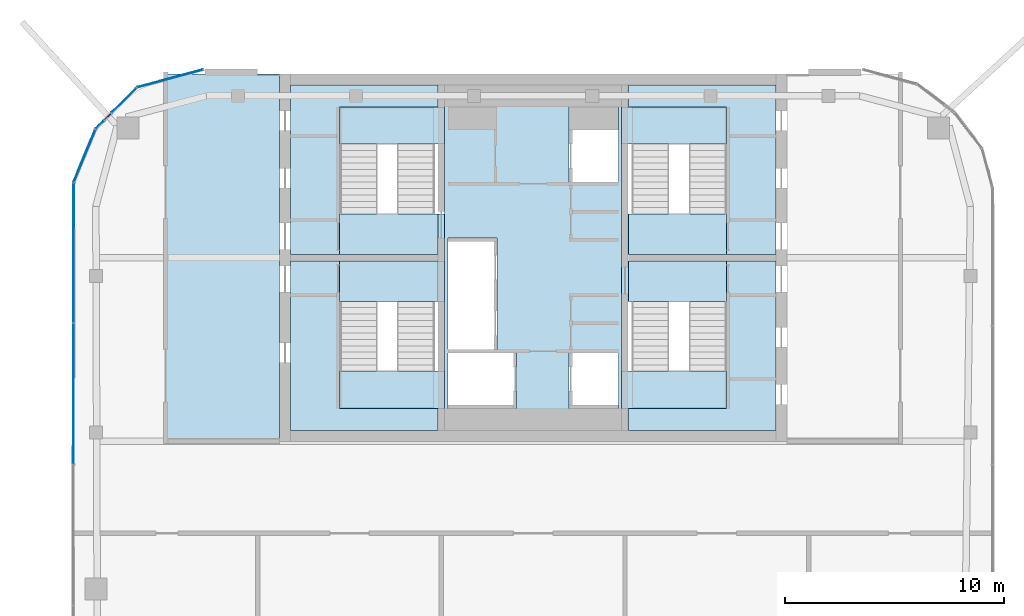
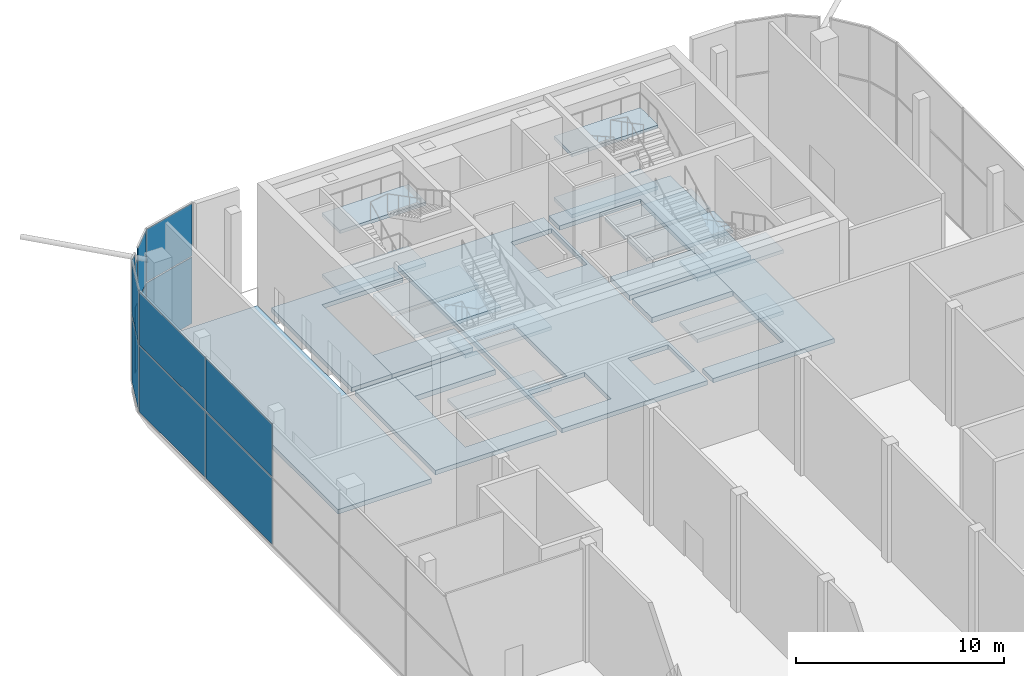
# One storey, part 16 of 23: 22 slabs, 14 plates, 10 elements without a shape of their own.
"""IFC4 building model written with IfcOpenShell, lengths in metres."""

import ifcopenshell
import ifcopenshell.guid

model = None  # the IFC model being written
_history = None  # IfcOwnerHistory: only IFC2X3 demands one
_inside = {}  # id of a spatial element -> (the spatial element, [elements in it])
_under = {}  # id of a project, library or spatial element -> (it, [spatial elements below it])
_declared = {}  # id of a project -> (the project, [libraries it declares])
_typed = {}  # id of a type object -> (the type object, [elements of that type])
_made_of = {}  # id of a material, layer set ... -> (it, [elements and type objects made of it])


def new_model(schema):
    """Start an empty IFC model of exactly this schema.

    Asked for "IFC4X3", IfcOpenShell would pick the latest addendum, in which some entities
    have other attributes; the version numbers below select the first issue.
    IFC2X3 requires an IfcOwnerHistory on every rooted entity: one is made here for all.
    """
    global model, _history
    if schema == "IFC4X3":
        model = ifcopenshell.file(schema_version=(4, 3, 0, 0))
    else:
        model = ifcopenshell.file(schema=schema)
    _inside.clear()
    _under.clear()
    _declared.clear()
    _typed.clear()
    _made_of.clear()
    _history = None
    if model.schema == "IFC2X3":
        org = make("IfcOrganization", Name="unknown")
        user = make(
            "IfcPersonAndOrganization",
            ThePerson=make("IfcPerson", FamilyName="unknown"),
            TheOrganization=org,
        )
        app = make(
            "IfcApplication",
            ApplicationDeveloper=org,
            Version="unknown",
            ApplicationFullName="unknown",
            ApplicationIdentifier="unknown",
        )
        _history = make(
            "IfcOwnerHistory",
            OwningUser=user,
            OwningApplication=app,
            ChangeAction="ADDED",
            CreationDate=0,
        )
    return model


def make(cls, **values):
    """One entity of the class cls with the attributes given. An attribute that is None is left unset."""
    return model.create_entity(
        cls, **{name: value for name, value in values.items() if value is not None}
    )


def rooted(cls, **values):
    """An entity with a GlobalId (a new one), such as an element, a storey or a relation."""
    return make(cls, GlobalId=ifcopenshell.guid.new(), OwnerHistory=_history, **values)


def si_unit(unit_type, name, prefix=None):
    """IfcSIUnit, for example si_unit("LENGTHUNIT", "METRE", prefix="MILLI")."""
    return make("IfcSIUnit", UnitType=unit_type, Prefix=prefix, Name=name)


def assignment(units):
    """IfcUnitAssignment: the units of a project."""
    return None if units is None else make("IfcUnitAssignment", Units=units)


def point(xyz):
    """IfcCartesianPoint."""
    return None if xyz is None else make("IfcCartesianPoint", Coordinates=xyz)


def direction(xyz):
    """IfcDirection."""
    return None if xyz is None else make("IfcDirection", DirectionRatios=xyz)


def frame(location, z_axis=None, x_axis=None):
    """IfcAxis2Placement3D, a coordinate frame: its origin and axes. An axis left out is left unset."""
    return make(
        "IfcAxis2Placement3D",
        Location=point(location),
        Axis=direction(z_axis),
        RefDirection=direction(x_axis),
    )


def frame_2d(location, x_axis=None):
    """IfcAxis2Placement2D, a coordinate frame in the plane: its origin and x axis."""
    return make(
        "IfcAxis2Placement2D", Location=point(location), RefDirection=direction(x_axis)
    )


def origin():
    """The frame at (0, 0, 0) with its axes left unset."""
    return frame((0.0, 0.0, 0.0))


def origin_2d():
    """The frame at (0, 0) in the plane with its x axis left unset."""
    return frame_2d((0.0, 0.0))


def place(relative_to, where):
    """IfcLocalPlacement: puts the frame where relative to a parent placement (None: the world)."""
    return make(
        "IfcLocalPlacement", PlacementRelTo=relative_to, RelativePlacement=where
    )


def context(
    kind, dimensions, precision=None, world=None, true_north=None, identifier=None
):
    """IfcGeometricRepresentationContext, for example the 3D "Model" context."""
    return make(
        "IfcGeometricRepresentationContext",
        ContextIdentifier=identifier,
        ContextType=kind,
        CoordinateSpaceDimension=dimensions,
        Precision=precision,
        WorldCoordinateSystem=world,
        TrueNorth=true_north,
    )


def subcontext(parent, identifier, kind, view, scale=None):
    """IfcGeometricRepresentationSubContext, for example "Body" below "Model"."""
    return make(
        "IfcGeometricRepresentationSubContext",
        ContextIdentifier=identifier,
        ContextType=kind,
        ParentContext=parent,
        TargetScale=scale,
        TargetView=view,
    )


def project(units=None, contexts=None):
    """IfcProject with its units and contexts."""
    return rooted(
        "IfcProject",
        Name="project",
        RepresentationContexts=contexts,
        UnitsInContext=assignment(units),
    )


def spatial(cls, under=None, at=None, **own):
    """A site, building, storey or space (cls), placed at a placement, below another one or the project."""
    s = rooted(cls, ObjectPlacement=at, **own)
    if under is not None:
        _under.setdefault(under.id(), (under, []))[1].append(s)
    return s


def polyline(points):
    """IfcPolyline through the points."""
    return make("IfcPolyline", Points=[point(p) for p in points])


def profile(cls, at=None, kind="AREA", **sizes):
    """A parametric profile (cls). Its sizes go by their IFC names, for example OverallWidth=200.0."""
    return make(cls, ProfileType=kind, Position=at, **sizes)


def rectangle(**sizes):
    """IfcRectangleProfileDef."""
    return profile("IfcRectangleProfileDef", **sizes)


def outline(outer, holes=None, kind="AREA"):
    """IfcArbitraryClosedProfileDef: a profile drawn as a closed curve; with holes, ...WithVoids."""
    if holes is None:
        return make("IfcArbitraryClosedProfileDef", ProfileType=kind, OuterCurve=outer)
    return make(
        "IfcArbitraryProfileDefWithVoids",
        ProfileType=kind,
        OuterCurve=outer,
        InnerCurves=holes,
    )


def extrude(swept, where, along, depth):
    """IfcExtrudedAreaSolid: the profile swept, set in the frame where, extruded along a direction by depth."""
    return make(
        "IfcExtrudedAreaSolid",
        SweptArea=swept,
        Position=where,
        ExtrudedDirection=direction(along),
        Depth=depth,
    )


def shape(context_of_items, identifier, shape_type, items):
    """IfcShapeRepresentation: the items that make up one representation, for example the "Body"."""
    return make(
        "IfcShapeRepresentation",
        ContextOfItems=context_of_items,
        RepresentationIdentifier=identifier,
        RepresentationType=shape_type,
        Items=items,
    )


def material(Name=None, Category=None):
    """IfcMaterial."""
    return make("IfcMaterial", Name=Name, Category=Category)


def layer(
    of_material, thickness, ventilated=None, Name=None, Category=None, Priority=None
):
    """IfcMaterialLayer: one layer of a wall or slab, of a material (None: an air gap)."""
    return make(
        "IfcMaterialLayer",
        Material=of_material,
        LayerThickness=thickness,
        IsVentilated=ventilated,
        Name=Name,
        Category=Category,
        Priority=Priority,
    )


def layer_set(layers, Name=None):
    """IfcMaterialLayerSet."""
    return make("IfcMaterialLayerSet", MaterialLayers=layers, LayerSetName=Name)


def made_of(thing, what):
    """Note that an element or type object is made of a material, layer set ...; save() writes the relation."""
    if what is not None:
        _made_of.setdefault(what.id(), (what, []))[1].append(thing)
    return thing


def type_object(cls, material=None, **own):
    """A type object (cls), such as IfcWallType, which elements share."""
    return made_of(rooted(cls, **own), material)


def element(
    cls,
    number,
    at=None,
    inside=None,
    cuts=None,
    type_object=None,
    material=None,
    context=None,
    identifier="Body",
    shape_type=None,
    held_by="IfcProductDefinitionShape",
    body=None,
    shapes=None,
    **own,
):
    """One element of the class cls, such as IfcWall. Its Tag is "e" and its number.

    at: its placement. inside: the storey or other place that contains it. cuts: it is an
    opening in that element (IfcRelVoidsElement). A single representation is given by context,
    identifier, shape_type and body (its items); several are given by shapes. held_by: the class
    of the entity that holds the representations. save() writes the other relations.
    """
    e = rooted(cls, Tag="e%d" % number, ObjectPlacement=at, **own)
    if body is not None:
        shapes = [shape(context, identifier, shape_type, body)]
    if shapes is not None:
        e.Representation = make(held_by, Representations=shapes)
    if inside is not None:
        _inside.setdefault(inside.id(), (inside, []))[1].append(e)
    if cuts is not None:
        rooted(
            "IfcRelVoidsElement", RelatingBuildingElement=cuts, RelatedOpeningElement=e
        )
    if type_object is not None:
        _typed.setdefault(type_object.id(), (type_object, []))[1].append(e)
    return made_of(e, material)


def aggregate(whole, parts):
    """IfcRelAggregates: a whole, such as a stair, and the parts it consists of."""
    return rooted("IfcRelAggregates", RelatingObject=whole, RelatedObjects=parts)


def save(model, path):
    """Write the relations noted so far, then the file.

    IfcRelAggregates (storeys below a building ...), IfcRelContainedInSpatialStructure (elements
    in a storey), IfcRelDefinesByType, IfcRelAssociatesMaterial and IfcRelDeclares: one each for
    every whole, place, type object, material and project.
    """
    for whole, parts in _under.values():
        aggregate(whole, parts)
    for where, things in _inside.values():
        rooted(
            "IfcRelContainedInSpatialStructure",
            RelatedElements=things,
            RelatingStructure=where,
        )
    for kind, things in _typed.values():
        rooted("IfcRelDefinesByType", RelatedObjects=things, RelatingType=kind)
    for what, things in _made_of.values():
        rooted("IfcRelAssociatesMaterial", RelatedObjects=things, RelatingMaterial=what)
    for by, libraries in _declared.values():
        rooted("IfcRelDeclares", RelatingContext=by, RelatedDefinitions=libraries)
    model.write(path)


model = new_model("IFC4")

# Units and contexts
model_context = context("Model", 3, precision=1e-05, world=origin(), true_north=direction((0.0, 1.0)))
body_context = subcontext(model_context, "Body", "Model", "MODEL_VIEW")
ifc_project = project(units=[si_unit("LENGTHUNIT", "METRE"), si_unit("AREAUNIT", "SQUARE_METRE"), si_unit("VOLUMEUNIT", "CUBIC_METRE"), si_unit("PLANEANGLEUNIT", "RADIAN"), si_unit("MASSUNIT", "GRAM", prefix="KILO")], contexts=[model_context])

# Site, building, storey
site_placement = place(None, origin())
site = spatial("IfcSite", under=ifc_project, at=site_placement, CompositionType="ELEMENT")
building_placement = place(site_placement, origin())
building = spatial("IfcBuilding", under=site, at=building_placement, Name="Marenta Gate Hotel Tower", CompositionType="ELEMENT")
storey_placement = place(building_placement, frame((0.0, 0.0, 288.5)))
storey = spatial("IfcBuildingStorey", under=building, at=storey_placement, Name="L66", CompositionType="ELEMENT", Elevation=288.5)

# Slabs
ifc_material_1 = material(Name="Concrete C40", Category="concrete")
ifc_layer_1 = layer(ifc_material_1, 0.260009765625)
ifc_layer_set_1 = layer_set([ifc_layer_1], Name="Concrete C40")
slab_type_1 = type_object("IfcSlabType", Name="Core floor slab 260", PredefinedType="FLOOR", material=ifc_layer_set_1)
slab_1_placement = place(storey_placement, frame((0.0, 0.0, -0.260009765625)))
element("IfcSlab", 1, at=slab_1_placement, inside=storey, type_object=slab_type_1, Name="L66-CF-2", PredefinedType="FLOOR", context=body_context, shape_type="SweptSolid", body=[
    extrude(outline(polyline([(8.85009765625, 1.5), (8.85009765625, 6.39990234375), (8.85009765625, 8.10009765625), (8.85009765625, 8.25), (11.10009765625, 8.25), (11.10009765625, 0.5), (4.35009765625, 0.5), (4.35009765625, 1.5), (8.85009765625, 1.5)])), origin(), (0.0, 0.0, 1.0), 0.260009765625),
])
slab_2_placement = place(storey_placement, frame((0.0, 0.0, -0.260009765625)))
element("IfcSlab", 2, at=slab_2_placement, inside=storey, type_object=slab_type_1, Name="L66-CF-3", PredefinedType="FLOOR", context=body_context, shape_type="SweptSolid", body=[
    extrude(outline(polyline([(8.85009765625, 15.300048828125), (4.35009765625, 15.300048828125), (4.35009765625, 16.300048828125), (11.10009765625, 16.300048828125), (11.10009765625, 8.550048828125), (8.85009765625, 8.550048828125), (8.85009765625, 8.699951171875), (8.85009765625, 10.39990234375), (8.85009765625, 15.300048828125)])), origin(), (0.0, 0.0, 1.0), 0.260009765625),
])
slab_3_placement = place(storey_placement, frame((0.0, 0.0, -0.260009765625)))
element("IfcSlab", 3, at=slab_3_placement, inside=storey, type_object=slab_type_1, Name="L66-CF-4", PredefinedType="FLOOR", context=body_context, shape_type="SweptSolid", body=[
    extrude(outline(polyline([(4.050048828125, 15.300048828125), (4.050048828125, 10.39990234375), (4.050048828125, 6.39990234375), (4.050048828125, 1.5), (4.050048828125, 0.5), (-4.050048828125, 0.5), (-4.050048828125, 1.5), (-4.050048828125, 6.39990234375), (-4.050048828125, 10.39990234375), (-4.050048828125, 15.300048828125), (-4.050048828125, 16.300048828125), (4.050048828125, 16.300048828125), (4.050048828125, 15.300048828125)]), holes=[polyline([(1.64990234375, 1.64990234375), (1.64990234375, 1.5), (3.89990234375, 1.5), (3.89990234375, 1.64990234375), (3.89990234375, 4.050048828125), (1.800048828125, 4.050048828125), (1.64990234375, 4.050048828125), (1.64990234375, 1.64990234375)]), polyline([(1.64990234375, 14.25), (1.64990234375, 11.85009765625), (1.800048828125, 11.85009765625), (3.89990234375, 11.85009765625), (3.89990234375, 14.25), (3.89990234375, 15.300048828125), (1.64990234375, 15.300048828125), (1.64990234375, 14.25)]), polyline([(-3.89990234375, 1.5), (-0.89990234375, 1.5), (-0.75, 1.5), (-0.75, 4.050048828125), (-0.89990234375, 4.050048828125), (-3.89990234375, 4.050048828125), (-3.89990234375, 1.64990234375), (-3.89990234375, 1.5)]), polyline([(-1.800048828125, 4.199951171875), (-1.64990234375, 4.199951171875), (-1.64990234375, 9.14990234375), (-1.64990234375, 9.300048828125), (-3.89990234375, 9.300048828125), (-3.89990234375, 9.14990234375), (-3.89990234375, 6.75), (-3.89990234375, 6.60009765625), (-3.89990234375, 4.199951171875), (-1.800048828125, 4.199951171875)])]), origin(), (0.0, 0.0, 1.0), 0.260009765625),
])
slab_4_placement = place(storey_placement, frame((0.0, 0.0, -0.260009765625)))
element("IfcSlab", 4, at=slab_4_placement, inside=storey, type_object=slab_type_1, Name="L66-CF-5", PredefinedType="FLOOR", context=body_context, shape_type="SweptSolid", body=[
    extrude(outline(polyline([(-8.85009765625, 8.25), (-8.85009765625, 8.10009765625), (-8.85009765625, 6.39990234375), (-8.85009765625, 1.5), (-4.35009765625, 1.5), (-4.35009765625, 0.5), (-11.10009765625, 0.5), (-11.10009765625, 8.25), (-8.85009765625, 8.25)])), origin(), (0.0, 0.0, 1.0), 0.260009765625),
])
slab_5_placement = place(storey_placement, frame((0.0, 0.0, -0.260009765625)))
element("IfcSlab", 5, at=slab_5_placement, inside=storey, type_object=slab_type_1, Name="L66-CF-6", PredefinedType="FLOOR", context=body_context, shape_type="SweptSolid", body=[
    extrude(outline(polyline([(-4.35009765625, 15.300048828125), (-8.85009765625, 15.300048828125), (-8.85009765625, 10.39990234375), (-8.85009765625, 8.699951171875), (-8.85009765625, 8.550048828125), (-11.10009765625, 8.550048828125), (-11.10009765625, 16.300048828125), (-4.35009765625, 16.300048828125), (-4.35009765625, 15.300048828125)])), origin(), (0.0, 0.0, 1.0), 0.260009765625),
])
slab_6_placement = place(storey_placement, frame((0.0, 0.0, -0.260009765625)))
element("IfcSlab", 6, at=slab_6_placement, inside=storey, type_object=slab_type_1, Name="L66-CF-7", PredefinedType="FLOOR", context=body_context, shape_type="SweptSolid", body=[
    extrude(outline(polyline([(-11.60009765625, 16.800048828125), (-11.60009765625, 0.0), (-16.800048828125, 0.0), (-16.800048828125, 16.800048828125), (-11.60009765625, 16.800048828125)])), origin(), (0.0, 0.0, 1.0), 0.260009765625),
])

# Stair, slabs
ifc_material_2 = material(Name="Concrete C40", Category="concrete")
stair_type = type_object("IfcStairType", Name="Core exit stair 1700 wide", PredefinedType="HALF_TURN_STAIR", material=ifc_material_2)
stair_1_placement = place(storey_placement, origin())
stair_1 = element("IfcStair", 7, at=stair_1_placement, inside=storey, type_object=stair_type, Name="Exit stair 1", PredefinedType="HALF_TURN_STAIR")
ifc_material_3 = material(Name="Concrete C40", Category="concrete")
ifc_layer_2 = layer(ifc_material_3, 0.199951171875)
ifc_layer_set_2 = layer_set([ifc_layer_2], Name="Concrete C40")
slab_type_2 = type_object("IfcSlabType", Name="Core stair landing 200", PredefinedType="LANDING", material=ifc_layer_set_2)
slab_7_placement = place(storey_placement, frame((0.0, 0.0, 1.60009765625)))
slab_7 = element("IfcSlab", 8, at=slab_7_placement, type_object=slab_type_2, Name="SL-200 ST1 landing 1", PredefinedType="LANDING", context=body_context, shape_type="SweptSolid", body=[
    extrude(outline(polyline([(-8.85009765625, 1.5), (-4.050048828125, 1.5), (-4.050048828125, 3.2099609375), (-8.85009765625, 3.2099609375), (-8.85009765625, 1.5)])), origin(), (0.0, 0.0, 1.0), 0.199951171875),
])
slab_8_placement = place(storey_placement, frame((0.0, 0.0, 3.39990234375)))
slab_8 = element("IfcSlab", 9, at=slab_8_placement, type_object=slab_type_2, Name="SL-200 ST1 landing 2", PredefinedType="LANDING", context=body_context, shape_type="SweptSolid", body=[
    extrude(outline(polyline([(-8.85009765625, 6.39990234375), (-4.050048828125, 6.39990234375), (-4.050048828125, 8.25), (-8.85009765625, 8.25), (-8.85009765625, 6.39990234375)])), origin(), (0.0, 0.0, 1.0), 0.2001953125),
])
slab_9_placement = place(storey_placement, frame((0.0, 0.0, 5.199951171875)))
slab_9 = element("IfcSlab", 10, at=slab_9_placement, type_object=slab_type_2, Name="SL-200 ST1 landing 3", PredefinedType="LANDING", context=body_context, shape_type="SweptSolid", body=[
    extrude(outline(polyline([(-8.85009765625, 1.5), (-4.050048828125, 1.5), (-4.050048828125, 3.2099609375), (-8.85009765625, 3.2099609375), (-8.85009765625, 1.5)])), origin(), (0.0, 0.0, 1.0), 0.199951171875),
])
aggregate(stair_1, [slab_7, slab_8, slab_9])

stair_2_placement = place(storey_placement, origin())
stair_2 = element("IfcStair", 11, at=stair_2_placement, inside=storey, type_object=stair_type, Name="Exit stair 2", PredefinedType="HALF_TURN_STAIR")
slab_10_placement = place(storey_placement, frame((0.0, 0.0, 1.60009765625)))
slab_10 = element("IfcSlab", 12, at=slab_10_placement, type_object=slab_type_2, Name="SL-200 ST2 landing 1", PredefinedType="LANDING", context=body_context, shape_type="SweptSolid", body=[
    extrude(outline(polyline([(-8.85009765625, 13.590087890625), (-4.050048828125, 13.590087890625), (-4.050048828125, 15.300048828125), (-8.85009765625, 15.300048828125), (-8.85009765625, 13.590087890625)])), origin(), (0.0, 0.0, 1.0), 0.199951171875),
])
slab_11_placement = place(storey_placement, frame((0.0, 0.0, 3.39990234375)))
slab_11 = element("IfcSlab", 13, at=slab_11_placement, type_object=slab_type_2, Name="SL-200 ST2 landing 2", PredefinedType="LANDING", context=body_context, shape_type="SweptSolid", body=[
    extrude(outline(polyline([(-8.85009765625, 8.550048828125), (-4.050048828125, 8.550048828125), (-4.050048828125, 10.39990234375), (-8.85009765625, 10.39990234375), (-8.85009765625, 8.550048828125)])), origin(), (0.0, 0.0, 1.0), 0.2001953125),
])
slab_12_placement = place(storey_placement, frame((0.0, 0.0, 5.199951171875)))
slab_12 = element("IfcSlab", 14, at=slab_12_placement, type_object=slab_type_2, Name="SL-200 ST2 landing 3", PredefinedType="LANDING", context=body_context, shape_type="SweptSolid", body=[
    extrude(outline(polyline([(-8.85009765625, 13.590087890625), (-4.050048828125, 13.590087890625), (-4.050048828125, 15.300048828125), (-8.85009765625, 15.300048828125), (-8.85009765625, 13.590087890625)])), origin(), (0.0, 0.0, 1.0), 0.199951171875),
])
aggregate(stair_2, [slab_10, slab_11, slab_12])

stair_3_placement = place(storey_placement, origin())
stair_3 = element("IfcStair", 15, at=stair_3_placement, inside=storey, type_object=stair_type, Name="Exit stair 3", PredefinedType="HALF_TURN_STAIR")
slab_13_placement = place(storey_placement, frame((0.0, 0.0, 1.60009765625)))
slab_13 = element("IfcSlab", 16, at=slab_13_placement, type_object=slab_type_2, Name="SL-200 ST3 landing 1", PredefinedType="LANDING", context=body_context, shape_type="SweptSolid", body=[
    extrude(outline(polyline([(4.050048828125, 1.5), (8.85009765625, 1.5), (8.85009765625, 3.2099609375), (4.050048828125, 3.2099609375), (4.050048828125, 1.5)])), origin(), (0.0, 0.0, 1.0), 0.199951171875),
])
slab_14_placement = place(storey_placement, frame((0.0, 0.0, 3.39990234375)))
slab_14 = element("IfcSlab", 17, at=slab_14_placement, type_object=slab_type_2, Name="SL-200 ST3 landing 2", PredefinedType="LANDING", context=body_context, shape_type="SweptSolid", body=[
    extrude(outline(polyline([(4.050048828125, 6.39990234375), (8.85009765625, 6.39990234375), (8.85009765625, 8.25), (4.050048828125, 8.25), (4.050048828125, 6.39990234375)])), origin(), (0.0, 0.0, 1.0), 0.2001953125),
])
slab_15_placement = place(storey_placement, frame((0.0, 0.0, 5.199951171875)))
slab_15 = element("IfcSlab", 18, at=slab_15_placement, type_object=slab_type_2, Name="SL-200 ST3 landing 3", PredefinedType="LANDING", context=body_context, shape_type="SweptSolid", body=[
    extrude(outline(polyline([(4.050048828125, 1.5), (8.85009765625, 1.5), (8.85009765625, 3.2099609375), (4.050048828125, 3.2099609375), (4.050048828125, 1.5)])), origin(), (0.0, 0.0, 1.0), 0.199951171875),
])
aggregate(stair_3, [slab_13, slab_14, slab_15])

stair_4_placement = place(storey_placement, origin())
stair_4 = element("IfcStair", 19, at=stair_4_placement, inside=storey, type_object=stair_type, Name="Exit stair 4", PredefinedType="HALF_TURN_STAIR")
slab_16_placement = place(storey_placement, frame((0.0, 0.0, 1.60009765625)))
slab_16 = element("IfcSlab", 20, at=slab_16_placement, type_object=slab_type_2, Name="SL-200 ST4 landing 1", PredefinedType="LANDING", context=body_context, shape_type="SweptSolid", body=[
    extrude(outline(polyline([(4.050048828125, 13.590087890625), (8.85009765625, 13.590087890625), (8.85009765625, 15.300048828125), (4.050048828125, 15.300048828125), (4.050048828125, 13.590087890625)])), origin(), (0.0, 0.0, 1.0), 0.199951171875),
])
slab_17_placement = place(storey_placement, frame((0.0, 0.0, 3.39990234375)))
slab_17 = element("IfcSlab", 21, at=slab_17_placement, type_object=slab_type_2, Name="SL-200 ST4 landing 2", PredefinedType="LANDING", context=body_context, shape_type="SweptSolid", body=[
    extrude(outline(polyline([(4.050048828125, 8.550048828125), (8.85009765625, 8.550048828125), (8.85009765625, 10.39990234375), (4.050048828125, 10.39990234375), (4.050048828125, 8.550048828125)])), origin(), (0.0, 0.0, 1.0), 0.2001953125),
])
slab_18_placement = place(storey_placement, frame((0.0, 0.0, 5.199951171875)))
slab_18 = element("IfcSlab", 22, at=slab_18_placement, type_object=slab_type_2, Name="SL-200 ST4 landing 3", PredefinedType="LANDING", context=body_context, shape_type="SweptSolid", body=[
    extrude(outline(polyline([(4.050048828125, 13.590087890625), (8.85009765625, 13.590087890625), (8.85009765625, 15.300048828125), (4.050048828125, 15.300048828125), (4.050048828125, 13.590087890625)])), origin(), (0.0, 0.0, 1.0), 0.199951171875),
])
aggregate(stair_4, [slab_16, slab_17, slab_18])

# Curtain wall, plates
ifc_material_4 = material(Name="Tinted insulated glass in bronze anodised frame", Category="glass")
ifc_layer_3 = layer(ifc_material_4, 0.1201171875)
ifc_layer_set_3 = layer_set([ifc_layer_3], Name="Tinted insulated glass in bronze anodised frame")
curtain_wall_type = type_object("IfcCurtainWallType", Name="Sky restaurant glazing CW4", PredefinedType="NOTDEFINED", material=ifc_layer_set_3)
curtain_wall_1_placement = place(storey_placement, origin())
curtain_wall_1 = element("IfcCurtainWall", 23, at=curtain_wall_1_placement, inside=storey, type_object=curtain_wall_type, Name="CW4 run G00", PredefinedType="NOTDEFINED")
ifc_material_5 = material(Name="Tinted insulated glass", Category="glass")
ifc_layer_4 = layer(ifc_material_5, 0.030029296875)
ifc_layer_set_4 = layer_set([ifc_layer_4], Name="Tinted insulated glass")
plate_type = type_object("IfcPlateType", Name="Glass panel CW4 30 mm tinted insulated unit", PredefinedType="CURTAIN_PANEL", material=ifc_layer_set_4)
plate_1_placement = place(storey_placement, frame((-16.618408203125, 16.592529296875, 0.070068359375), z_axis=(0.0, 0.0, 1.0), x_axis=(-0.965930559685, -0.258801379183, 0.0)))
plate_1 = element("IfcPlate", 24, at=plate_1_placement, type_object=plate_type, Name="CW4 panel 1.1", PredefinedType="CURTAIN_PANEL", context=body_context, shape_type="SweptSolid", body=[
    extrude(rectangle(XDim=3.09423828125, YDim=0.030029296875, at=origin_2d()), origin(), (0.0, 0.0, 1.0), 3.89501953125),
])
plate_2_placement = place(storey_placement, frame((-16.618408203125, 16.592529296875, 4.03515625), z_axis=(0.0, 0.0, 1.0), x_axis=(-0.965930559685, -0.258801379183, 0.0)))
plate_2 = element("IfcPlate", 25, at=plate_2_placement, type_object=plate_type, Name="CW4 panel 1.2", PredefinedType="CURTAIN_PANEL", context=body_context, shape_type="SweptSolid", body=[
    extrude(rectangle(XDim=3.09423828125, YDim=0.030029296875, at=origin_2d()), origin(), (0.0, 0.0, 1.0), 3.094970703125),
])
aggregate(curtain_wall_1, [plate_1, plate_2])

curtain_wall_2_placement = place(storey_placement, origin())
curtain_wall_2 = element("IfcCurtainWall", 26, at=curtain_wall_2_placement, inside=storey, type_object=curtain_wall_type, Name="CW4 run G01", PredefinedType="NOTDEFINED")
plate_3_placement = place(storey_placement, frame((-18.718994140625, 15.586181640625, 0.070068359375), z_axis=(0.0, 0.0, 1.0), x_axis=(-0.707106781187, -0.707106781187, 0.0)))
plate_3 = element("IfcPlate", 27, at=plate_3_placement, type_object=plate_type, Name="CW4 panel 1.1", PredefinedType="CURTAIN_PANEL", context=body_context, shape_type="SweptSolid", body=[
    extrude(rectangle(XDim=1.57421875, YDim=0.030029296875, at=origin_2d()), origin(), (0.0, 0.0, 1.0), 3.89501953125),
])
plate_4_placement = place(storey_placement, frame((-18.718994140625, 15.586181640625, 4.03515625), z_axis=(0.0, 0.0, 1.0), x_axis=(-0.707106781187, -0.707106781187, 0.0)))
plate_4 = element("IfcPlate", 28, at=plate_4_placement, type_object=plate_type, Name="CW4 panel 1.2", PredefinedType="CURTAIN_PANEL", context=body_context, shape_type="SweptSolid", body=[
    extrude(rectangle(XDim=1.57421875, YDim=0.030029296875, at=origin_2d()), origin(), (0.0, 0.0, 1.0), 3.094970703125),
])
aggregate(curtain_wall_2, [plate_3, plate_4])

curtain_wall_3_placement = place(storey_placement, origin())
curtain_wall_3 = element("IfcCurtainWall", 29, at=curtain_wall_3_placement, inside=storey, type_object=curtain_wall_type, Name="CW4 run G02", PredefinedType="NOTDEFINED")
plate_5_placement = place(storey_placement, frame((-19.46044921875, 14.844482421875, 0.070068359375), z_axis=(0.0, 0.0, 1.0), x_axis=(-0.707106781187, -0.707106781187, 0.0)))
plate_5 = element("IfcPlate", 30, at=plate_5_placement, type_object=plate_type, Name="CW4 panel 1.1", PredefinedType="CURTAIN_PANEL", context=body_context, shape_type="SweptSolid", body=[
    extrude(rectangle(XDim=0.38330078125, YDim=0.030029296875, at=origin_2d()), origin(), (0.0, 0.0, 1.0), 3.89501953125),
])
plate_6_placement = place(storey_placement, frame((-19.46044921875, 14.844482421875, 4.034912109375), z_axis=(0.0, 0.0, 1.0), x_axis=(-0.707106781187, -0.707106781187, 0.0)))
plate_6 = element("IfcPlate", 31, at=plate_6_placement, type_object=plate_type, Name="CW4 panel 1.2", PredefinedType="CURTAIN_PANEL", context=body_context, shape_type="SweptSolid", body=[
    extrude(rectangle(XDim=0.38330078125, YDim=0.030029296875, at=origin_2d()), origin(), (0.0, 0.0, 1.0), 2.49560546875),
])
aggregate(curtain_wall_3, [plate_5, plate_6])

curtain_wall_4_placement = place(storey_placement, origin())
curtain_wall_4 = element("IfcCurtainWall", 32, at=curtain_wall_4_placement, inside=storey, type_object=curtain_wall_type, Name="CW4 run G03", PredefinedType="NOTDEFINED")
plate_7_placement = place(storey_placement, frame((-19.82470703125, 14.48046875, 0.070068359375), z_axis=(0.0, 0.0, 1.0), x_axis=(-0.707106781187, -0.707106781187, 0.0)))
plate_7 = element("IfcPlate", 33, at=plate_7_placement, type_object=plate_type, Name="CW4 panel 1.1", PredefinedType="CURTAIN_PANEL", context=body_context, shape_type="SweptSolid", body=[
    extrude(rectangle(XDim=0.50634765625, YDim=0.030029296875, at=origin_2d()), origin(), (0.0, 0.0, 1.0), 3.89501953125),
])
plate_8_placement = place(storey_placement, frame((-19.82470703125, 14.48046875, 4.03515625), z_axis=(0.0, 0.0, 1.0), x_axis=(-0.707106781187, -0.707106781187, 0.0)))
plate_8 = element("IfcPlate", 34, at=plate_8_placement, type_object=plate_type, Name="CW4 panel 1.2", PredefinedType="CURTAIN_PANEL", context=body_context, shape_type="SweptSolid", body=[
    extrude(rectangle(XDim=0.50634765625, YDim=0.030029296875, at=origin_2d()), origin(), (0.0, 0.0, 1.0), 3.094970703125),
])
aggregate(curtain_wall_4, [plate_7, plate_8])

curtain_wall_5_placement = place(storey_placement, origin())
curtain_wall_5 = element("IfcCurtainWall", 35, at=curtain_wall_5_placement, inside=storey, type_object=curtain_wall_type, Name="CW4 run G04", PredefinedType="NOTDEFINED")
plate_9_placement = place(storey_placement, frame((-20.521484375, 13.051513671875, 0.070068359375), z_axis=(0.0, 0.0, 1.0), x_axis=(-0.382666772044, -0.923886433266, 0.0)))
plate_9 = element("IfcPlate", 36, at=plate_9_placement, type_object=plate_type, Name="CW4 panel 1.1", PredefinedType="CURTAIN_PANEL", context=body_context, shape_type="SweptSolid", body=[
    extrude(rectangle(XDim=2.565673828125, YDim=0.030029296875, at=origin_2d()), origin(), (0.0, 0.0, 1.0), 3.89501953125),
])
plate_10_placement = place(storey_placement, frame((-20.521484375, 13.051513671875, 4.03515625), z_axis=(0.0, 0.0, 1.0), x_axis=(-0.382666772044, -0.923886433266, 0.0)))
plate_10 = element("IfcPlate", 37, at=plate_10_placement, type_object=plate_type, Name="CW4 panel 1.2", PredefinedType="CURTAIN_PANEL", context=body_context, shape_type="SweptSolid", body=[
    extrude(rectangle(XDim=2.565673828125, YDim=0.030029296875, at=origin_2d()), origin(), (0.0, 0.0, 1.0), 3.094970703125),
])
aggregate(curtain_wall_5, [plate_9, plate_10])

curtain_wall_6_placement = place(storey_placement, origin())
curtain_wall_6 = element("IfcCurtainWall", 38, at=curtain_wall_6_placement, inside=storey, type_object=curtain_wall_type, Name="CW4 run G05", PredefinedType="NOTDEFINED")
plate_11_placement = place(storey_placement, frame((-21.017333984375, 8.61865234375, 0.070068359375), z_axis=(0.0, 0.0, 1.0), x_axis=(-0.001566045546, -0.99999877375, 0.0)))
plate_11 = element("IfcPlate", 39, at=plate_11_placement, type_object=plate_type, Name="CW4 panel 1.1", PredefinedType="CURTAIN_PANEL", context=body_context, shape_type="SweptSolid", body=[
    extrude(rectangle(XDim=6.35498046875, YDim=0.030029296875, at=origin_2d()), origin(), (0.0, 0.0, 1.0), 3.89501953125),
])
plate_12_placement = place(storey_placement, frame((-21.017333984375, 8.61865234375, 4.03515625), z_axis=(0.0, 0.0, 1.0), x_axis=(-0.001566045546, -0.99999877375, 0.0)))
plate_12 = element("IfcPlate", 40, at=plate_12_placement, type_object=plate_type, Name="CW4 panel 1.2", PredefinedType="CURTAIN_PANEL", context=body_context, shape_type="SweptSolid", body=[
    extrude(rectangle(XDim=6.35498046875, YDim=0.030029296875, at=origin_2d()), origin(), (0.0, 0.0, 1.0), 3.094970703125),
])
plate_13_placement = place(storey_placement, frame((-21.027587890625, 2.17626953125, 0.070068359375), z_axis=(0.0, 0.0, 1.0), x_axis=(-0.001566045546, -0.99999877375, 0.0)))
plate_13 = element("IfcPlate", 41, at=plate_13_placement, type_object=plate_type, Name="CW4 panel 2.1", PredefinedType="CURTAIN_PANEL", context=body_context, shape_type="SweptSolid", body=[
    extrude(rectangle(XDim=6.389892578125, YDim=0.030029296875, at=origin_2d()), origin(), (0.0, 0.0, 1.0), 3.89501953125),
])
plate_14_placement = place(storey_placement, frame((-21.027587890625, 2.17626953125, 4.03515625), z_axis=(0.0, 0.0, 1.0), x_axis=(-0.001566045546, -0.99999877375, 0.0)))
plate_14 = element("IfcPlate", 42, at=plate_14_placement, type_object=plate_type, Name="CW4 panel 2.2", PredefinedType="CURTAIN_PANEL", context=body_context, shape_type="SweptSolid", body=[
    extrude(rectangle(XDim=6.389892578125, YDim=0.030029296875, at=origin_2d()), origin(), (0.0, 0.0, 1.0), 3.094970703125),
])
aggregate(curtain_wall_6, [plate_11, plate_12, plate_13, plate_14])

# Slabs
ifc_material_6 = material(Name="Concrete C40", Category="concrete")
ifc_layer_5 = layer(ifc_material_6, 0.300048828125)
ifc_layer_set_5 = layer_set([ifc_layer_5], Name="Concrete C40")
slab_type_3 = type_object("IfcSlabType", Name="Stair floor landing slab 300", PredefinedType="FLOOR", material=ifc_layer_set_5)
slab_19_placement = place(storey_placement, frame((0.0, 0.0, -0.300048828125)))
element("IfcSlab", 43, at=slab_19_placement, inside=storey, type_object=slab_type_3, Name="L66-CL-ST1-1", PredefinedType="FLOOR", context=body_context, shape_type="SweptSolid", body=[
    extrude(outline(polyline([(-4.35009765625, 6.39990234375), (-8.85009765625, 6.39990234375), (-8.85009765625, 8.10009765625), (-8.85009765625, 8.25), (-4.35009765625, 8.25), (-4.35009765625, 6.39990234375)])), origin(), (0.0, 0.0, 1.0), 0.300048828125),
])
slab_20_placement = place(storey_placement, frame((0.0, 0.0, -0.300048828125)))
element("IfcSlab", 44, at=slab_20_placement, inside=storey, type_object=slab_type_3, Name="L66-CL-ST2-1", PredefinedType="FLOOR", context=body_context, shape_type="SweptSolid", body=[
    extrude(outline(polyline([(-4.35009765625, 8.550048828125), (-8.85009765625, 8.550048828125), (-8.85009765625, 8.699951171875), (-8.85009765625, 10.39990234375), (-4.35009765625, 10.39990234375), (-4.35009765625, 8.550048828125)])), origin(), (0.0, 0.0, 1.0), 0.300048828125),
])
slab_21_placement = place(storey_placement, frame((0.0, 0.0, -0.300048828125)))
element("IfcSlab", 45, at=slab_21_placement, inside=storey, type_object=slab_type_3, Name="L66-CL-ST3-1", PredefinedType="FLOOR", context=body_context, shape_type="SweptSolid", body=[
    extrude(outline(polyline([(4.35009765625, 6.39990234375), (4.35009765625, 8.25), (8.85009765625, 8.25), (8.85009765625, 8.10009765625), (8.85009765625, 6.39990234375), (4.35009765625, 6.39990234375)])), origin(), (0.0, 0.0, 1.0), 0.300048828125),
])
slab_22_placement = place(storey_placement, frame((0.0, 0.0, -0.300048828125)))
element("IfcSlab", 46, at=slab_22_placement, inside=storey, type_object=slab_type_3, Name="L66-CL-ST4-1", PredefinedType="FLOOR", context=body_context, shape_type="SweptSolid", body=[
    extrude(outline(polyline([(4.35009765625, 8.550048828125), (4.35009765625, 10.39990234375), (8.85009765625, 10.39990234375), (8.85009765625, 8.699951171875), (8.85009765625, 8.550048828125), (4.35009765625, 8.550048828125)])), origin(), (0.0, 0.0, 1.0), 0.300048828125),
])

save(model, "model.ifc")
